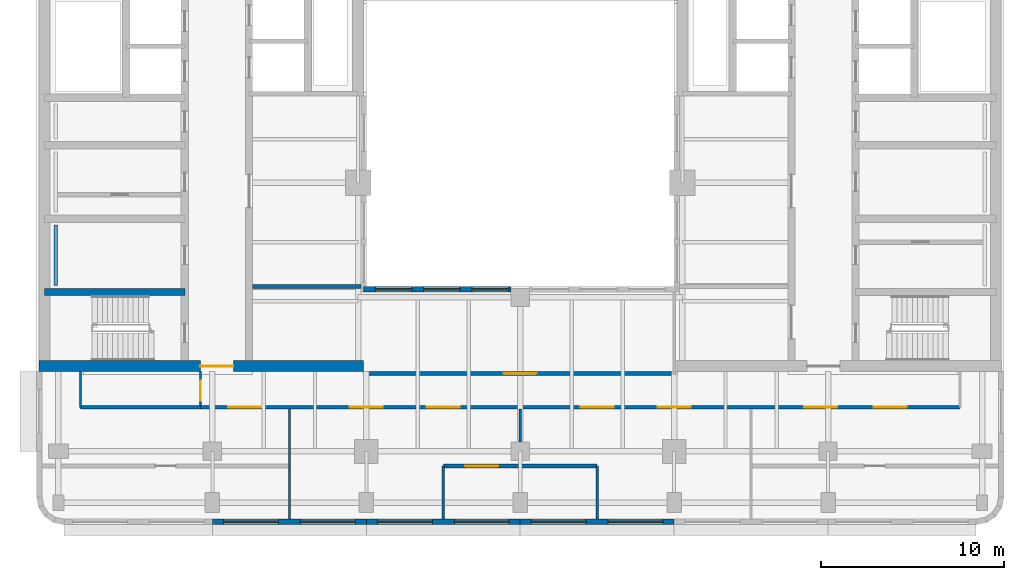
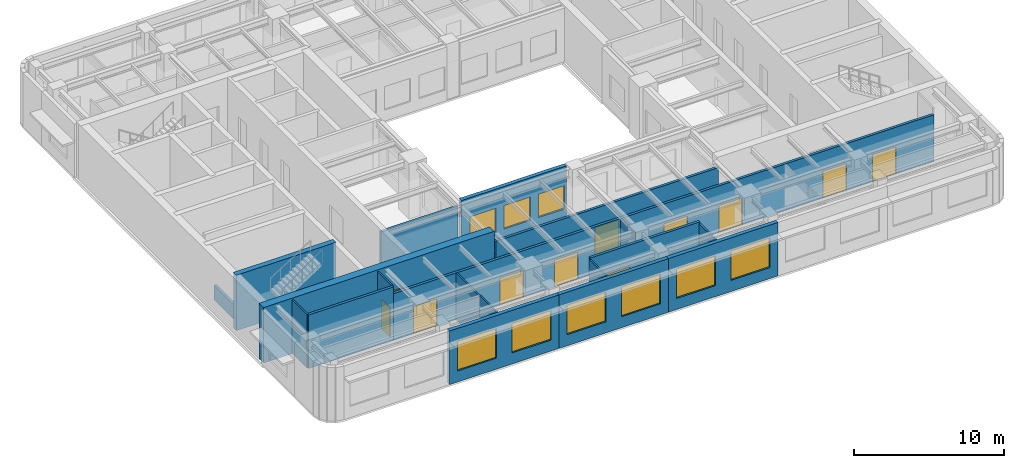
# One storey, part 3 of 11: 19 walls, 11 doors, 9 windows, 20 openings.
"""IFC4 building model written with IfcOpenShell, lengths in metres."""

from ifc_helpers import new_model, si_unit, direction, frame, frame_2d, origin, place, context, subcontext, project, spatial, rectangle, extrude, material, layer, layer_set, type_object, element, fill, save


model = new_model("IFC4")

# Units and contexts
model_context = context("Model", 3, precision=1e-05, world=origin(), true_north=direction((0.0, 1.0)))
body_context = subcontext(model_context, "Body", "Model", "MODEL_VIEW")
ifc_project = project(units=[si_unit("LENGTHUNIT", "METRE"), si_unit("AREAUNIT", "SQUARE_METRE"), si_unit("VOLUMEUNIT", "CUBIC_METRE"), si_unit("PLANEANGLEUNIT", "RADIAN"), si_unit("MASSUNIT", "GRAM", prefix="KILO")], contexts=[model_context])

# Site, building, storey
site_placement = place(None, origin())
site = spatial("IfcSite", under=ifc_project, at=site_placement, CompositionType="ELEMENT")
building_placement = place(site_placement, origin())
building = spatial("IfcBuilding", under=site, at=building_placement, Name="Claustro Exchange Tower", CompositionType="ELEMENT")
storey_placement = place(building_placement, frame((0.0, 0.0, 268.199951171875)))
storey = spatial("IfcBuildingStorey", under=building, at=storey_placement, Name="L61", CompositionType="ELEMENT", Elevation=268.199951171875)

# Walls
ifc_material_1 = material(Name="Laminated glass in aluminium frame", Category="aluminium")
ifc_layer_1 = layer(ifc_material_1, 0.1201171875)
ifc_layer_set_1 = layer_set([ifc_layer_1], Name="Laminated glass in aluminium frame")
wall_type_1 = type_object("IfcWallType", Name="P2 120 glazed partition", PredefinedType="PARTITIONING", material=ifc_layer_set_1)
wall_1_placement = place(storey_placement, frame((12.60009765625, 4.699951171875, 0.0), z_axis=(0.0, 0.0, 1.0), x_axis=(0.0, 1.0, 0.0)))
element("IfcWall", 1, at=wall_1_placement, inside=storey, type_object=wall_type_1, Name="Partition P2 L61", PredefinedType="PARTITIONING", context=body_context, shape_type="SweptSolid", body=[
    extrude(rectangle(XDim=2.902099609375, YDim=0.1201171875, at=frame_2d((1.451171875, 0.0))), origin(), (0.0, 0.0, 1.0), 3.860107421875),
])
for number, where, z_axis, x_axis, name in (
    (2, (21.0, 4.699951171875, 0.0), (0.0, 0.0, 1.0), (0.0, 1.0, 0.0), "Partition P2 L61"),
    (3, (29.39990234375, 4.699951171875, 0.0), (0.0, 0.0, 1.0), (0.0, 1.0, 0.0), "Partition P2 L61"),
):
    element("IfcWall", number, at=place(storey_placement, frame(where, z_axis=z_axis, x_axis=x_axis)), inside=storey, type_object=wall_type_1, Name=name, PredefinedType="PARTITIONING", context=body_context, shape_type="SweptSolid", body=[
        extrude(rectangle(XDim=2.900146484375, YDim=0.1201171875, at=frame_2d((1.4501953125, 0.0))), origin(), (0.0, 0.0, 1.0), 3.860107421875),
    ])
wall_2_placement = place(storey_placement, frame((12.60009765625, 7.597900390625, 0.0), z_axis=(0.0, 0.0, 1.0), x_axis=(0.0, 1.0, 0.0)))
element("IfcWall", 4, at=wall_2_placement, inside=storey, type_object=wall_type_1, Name="Partition P2 L61", PredefinedType="PARTITIONING", context=body_context, shape_type="SweptSolid", body=[
    extrude(rectangle(XDim=3.10400390625, YDim=0.1201171875, at=frame_2d((1.552001953125, 0.0))), origin(), (0.0, 0.0, 1.0), 3.800048828125),
])
wall_3_placement = place(storey_placement, frame((25.199951171875, 8.89892578125, 0.0), z_axis=(0.0, 0.0, 1.0), x_axis=(0.0, 1.0, 0.0)))
element("IfcWall", 5, at=wall_3_placement, inside=storey, type_object=wall_type_1, Name="Partition P2 L61", PredefinedType="PARTITIONING", context=body_context, shape_type="SweptSolid", body=[
    extrude(rectangle(XDim=1.802978515625, YDim=0.1201171875, at=frame_2d((0.9013671875, 0.0))), origin(), (0.0, 0.0, 1.0), 3.800048828125),
])

# Wall, opening, door
wall_4_placement = place(storey_placement, frame((7.75, 10.89794921875, 0.0), z_axis=(0.0, 0.0, 1.0), x_axis=(0.0, 1.0, 0.0)))
wall_4 = element("IfcWall", 6, at=wall_4_placement, inside=storey, type_object=wall_type_1, Name="Partition P2 L61", PredefinedType="PARTITIONING", context=body_context, shape_type="SweptSolid", body=[
    extrude(rectangle(XDim=1.85400390625, YDim=0.1201171875, at=frame_2d((0.927001953125, 0.0))), origin(), (0.0, 0.0, 1.0), 4.35009765625),
])
opening_1_placement = place(wall_4_placement, frame((0.251953125, 0.0, 0.0)))
opening_1 = element("IfcOpeningElement", 7, at=opening_1_placement, cuts=wall_4, Name="Opening D8", PredefinedType="OPENING", context=body_context, shape_type="SweptSolid", body=[
    extrude(rectangle(XDim=1.10009765625, YDim=2.39990234375, at=frame_2d((0.550048828125, 1.199951171875))), frame((0.0, 0.070068359375, 0.0), z_axis=(0.0, -1.0, 0.0), x_axis=(1.0, 0.0, 0.0)), (0.0, 0.0, 1.0), 0.14013671875),
])
ifc_material_2 = material(Name="Timber door, walnut veneer", Category="wood")
door_type_1 = type_object("IfcDoorType", Name="D8 1100 x 2400 executive door", OperationType="SINGLE_SWING_LEFT", PredefinedType="DOOR", material=ifc_material_2)
door_1_placement = place(opening_1_placement, origin())
door_1 = element("IfcDoor", 8, at=door_1_placement, inside=storey, type_object=door_type_1, Name="Door D8 L61", OperationType="SINGLE_SWING_LEFT", OverallHeight=2.39990234375, OverallWidth=1.10009765625, PredefinedType="DOOR", context=body_context, shape_type="SweptSolid", body=[
    extrude(rectangle(XDim=1.10009765625, YDim=2.39990234375, at=frame_2d((0.550048828125, 1.199951171875))), frame((0.0, 0.02490234375, 0.0), z_axis=(0.0, -1.0, 0.0), x_axis=(1.0, 0.0, 0.0)), (0.0, 0.0, 1.0), 0.050048828125),
])
fill(opening_1, door_1)

# Walls
wall_5_placement = place(storey_placement, frame((1.199951171875, 10.800048828125, 0.0), z_axis=(0.0, 0.0, 1.0), x_axis=(0.0, 1.0, 0.0)))
element("IfcWall", 9, at=wall_5_placement, inside=storey, type_object=wall_type_1, Name="Partition P2 L61", PredefinedType="PARTITIONING", context=body_context, shape_type="SweptSolid", body=[
    extrude(rectangle(XDim=1.951904296875, YDim=0.1201171875, at=frame_2d((0.97607421875, 0.0))), origin(), (0.0, 0.0, 1.0), 4.35009765625),
])
ifc_material_3 = material(Name="Twin-skin gypsum board on steel studs, mineral wool", Category="steel")
ifc_layer_2 = layer(ifc_material_3, 0.199951171875)
ifc_layer_set_2 = layer_set([ifc_layer_2], Name="Twin-skin gypsum board on steel studs, mineral wool")
wall_type_2 = type_object("IfcWallType", Name="P3 200 acoustic partition", PredefinedType="PARTITIONING", material=ifc_layer_set_2)
wall_6_placement = place(storey_placement, frame((10.597900390625, 17.39990234375, 0.0), z_axis=(0.0, 0.0, 1.0), x_axis=(1.0, 0.0, 0.0)))
element("IfcWall", 10, at=wall_6_placement, inside=storey, type_object=wall_type_2, Name="Partition P3 L61", PredefinedType="PARTITIONING", context=body_context, shape_type="SweptSolid", body=[
    extrude(rectangle(XDim=5.904052734375, YDim=0.199951171875, at=frame_2d((2.9521484375, 0.0))), origin(), (0.0, 0.0, 1.0), 3.800048828125),
])

# Wall, opening, door
wall_7_placement = place(storey_placement, frame((21.0, 7.60009765625, 0.0), z_axis=(0.0, 0.0, 1.0), x_axis=(1.0, 0.0, 0.0)))
wall_7 = element("IfcWall", 11, at=wall_7_placement, inside=storey, type_object=wall_type_2, Name="Partition P3 L61", PredefinedType="PARTITIONING", context=body_context, shape_type="SweptSolid", body=[
    extrude(rectangle(XDim=8.39990234375, YDim=0.199951171875, at=frame_2d((4.199951171875, 0.0))), origin(), (0.0, 0.0, 1.0), 3.989990234375),
])
opening_2_placement = place(wall_7_placement, frame((1.199951171875, 0.0, 0.0)))
opening_2 = element("IfcOpeningElement", 12, at=opening_2_placement, cuts=wall_7, Name="Opening D2", PredefinedType="OPENING", context=body_context, shape_type="SweptSolid", body=[
    extrude(rectangle(XDim=1.800048828125, YDim=2.199951171875, at=frame_2d((0.89990234375, 1.10009765625))), frame((0.0, 0.10986328125, 0.0), z_axis=(0.0, -1.0, 0.0), x_axis=(1.0, 0.0, 0.0)), (0.0, 0.0, 1.0), 0.219970703125),
])
ifc_material_4 = material(Name="Timber door, oak veneer", Category="wood")
door_type_2 = type_object("IfcDoorType", Name="D2 1800 x 2200 double door", OperationType="DOUBLE_DOOR_SINGLE_SWING", PredefinedType="DOOR", material=ifc_material_4)
door_2_placement = place(opening_2_placement, frame((1.800048828125, 0.0, 0.0), z_axis=(0.0, 0.0, 1.0), x_axis=(-1.0, 0.0, 0.0)))
door_2 = element("IfcDoor", 13, at=door_2_placement, inside=storey, type_object=door_type_2, Name="Double door D2 L61", OperationType="DOUBLE_DOOR_SINGLE_SWING", OverallHeight=2.199951171875, OverallWidth=1.800048828125, PredefinedType="DOOR", context=body_context, shape_type="SweptSolid", body=[
    extrude(rectangle(XDim=1.800048828125, YDim=2.199951171875, at=frame_2d((0.89990234375, 1.10009765625))), frame((0.0, 0.02490234375, 0.0), z_axis=(0.0, -1.0, 0.0), x_axis=(1.0, 0.0, 0.0)), (0.0, 0.0, 1.0), 0.050048828125),
])
fill(opening_2, door_2)

# Wall, openings, doors
wall_8_placement = place(storey_placement, frame((7.748046875, 10.800048828125, 0.0), z_axis=(0.0, 0.0, 1.0), x_axis=(1.0, 0.0, 0.0)))
wall_8 = element("IfcWall", 14, at=wall_8_placement, inside=storey, type_object=wall_type_2, Name="Partition P3 L61", PredefinedType="PARTITIONING", context=body_context, shape_type="SweptSolid", body=[
    extrude(rectangle(XDim=41.451904296875, YDim=0.199951171875, at=frame_2d((20.72607421875, 0.0))), origin(), (0.0, 0.0, 1.0), 3.800048828125),
])
opening_3_placement = place(wall_8_placement, frame((1.527099609375, 0.0, 0.0)))
opening_3 = element("IfcOpeningElement", 15, at=opening_3_placement, cuts=wall_8, Name="Opening D2", PredefinedType="OPENING", context=body_context, shape_type="SweptSolid", body=[
    extrude(rectangle(XDim=1.800048828125, YDim=2.199951171875, at=frame_2d((0.89990234375, 1.10009765625))), frame((0.0, 0.10986328125, 0.0), z_axis=(0.0, -1.0, 0.0), x_axis=(1.0, 0.0, 0.0)), (0.0, 0.0, 1.0), 0.219970703125),
])
opening_4_placement = place(wall_8_placement, frame((8.152099609375, 0.0, 0.0)))
opening_4 = element("IfcOpeningElement", 16, at=opening_4_placement, cuts=wall_8, Name="Opening D2", PredefinedType="OPENING", context=body_context, shape_type="SweptSolid", body=[
    extrude(rectangle(XDim=1.800048828125, YDim=2.199951171875, at=frame_2d((0.89990234375, 1.10009765625))), frame((0.0, 0.10986328125, 0.0), z_axis=(0.0, -1.0, 0.0), x_axis=(1.0, 0.0, 0.0)), (0.0, 0.0, 1.0), 0.219970703125),
])
opening_5_placement = place(wall_8_placement, frame((12.35205078125, 0.0, 0.0)))
opening_5 = element("IfcOpeningElement", 17, at=opening_5_placement, cuts=wall_8, Name="Opening D2", PredefinedType="OPENING", context=body_context, shape_type="SweptSolid", body=[
    extrude(rectangle(XDim=1.800048828125, YDim=2.199951171875, at=frame_2d((0.89990234375, 1.10009765625))), frame((0.0, 0.10986328125, 0.0), z_axis=(0.0, -1.0, 0.0), x_axis=(1.0, 0.0, 0.0)), (0.0, 0.0, 1.0), 0.219970703125),
])
opening_6_placement = place(wall_8_placement, frame((20.751953125, 0.0, 0.0)))
opening_6 = element("IfcOpeningElement", 18, at=opening_6_placement, cuts=wall_8, Name="Opening D2", PredefinedType="OPENING", context=body_context, shape_type="SweptSolid", body=[
    extrude(rectangle(XDim=1.800048828125, YDim=2.199951171875, at=frame_2d((0.89990234375, 1.10009765625))), frame((0.0, 0.10986328125, 0.0), z_axis=(0.0, -1.0, 0.0), x_axis=(1.0, 0.0, 0.0)), (0.0, 0.0, 1.0), 0.219970703125),
])
opening_7_placement = place(wall_8_placement, frame((24.951904296875, 0.0, 0.0)))
opening_7 = element("IfcOpeningElement", 19, at=opening_7_placement, cuts=wall_8, Name="Opening D2", PredefinedType="OPENING", context=body_context, shape_type="SweptSolid", body=[
    extrude(rectangle(XDim=1.800048828125, YDim=2.199951171875, at=frame_2d((0.89990234375, 1.10009765625))), frame((0.0, 0.10986328125, 0.0), z_axis=(0.0, -1.0, 0.0), x_axis=(1.0, 0.0, 0.0)), (0.0, 0.0, 1.0), 0.219970703125),
])
opening_8_placement = place(wall_8_placement, frame((32.951904296875, 0.0, 0.0)))
opening_8 = element("IfcOpeningElement", 20, at=opening_8_placement, cuts=wall_8, Name="Opening D2", PredefinedType="OPENING", context=body_context, shape_type="SweptSolid", body=[
    extrude(rectangle(XDim=1.800048828125, YDim=2.199951171875, at=frame_2d((0.89990234375, 1.10009765625))), frame((0.0, 0.10986328125, 0.0), z_axis=(0.0, -1.0, 0.0), x_axis=(1.0, 0.0, 0.0)), (0.0, 0.0, 1.0), 0.219970703125),
])
opening_9_placement = place(wall_8_placement, frame((36.751953125, 0.0, 0.0)))
opening_9 = element("IfcOpeningElement", 21, at=opening_9_placement, cuts=wall_8, Name="Opening D2", PredefinedType="OPENING", context=body_context, shape_type="SweptSolid", body=[
    extrude(rectangle(XDim=1.800048828125, YDim=2.199951171875, at=frame_2d((0.89990234375, 1.10009765625))), frame((0.0, 0.10986328125, 0.0), z_axis=(0.0, -1.0, 0.0), x_axis=(1.0, 0.0, 0.0)), (0.0, 0.0, 1.0), 0.219970703125),
])
door_3_placement = place(opening_3_placement, frame((1.800048828125, 0.0, 0.0), z_axis=(0.0, 0.0, 1.0), x_axis=(-1.0, 0.0, 0.0)))
door_3 = element("IfcDoor", 22, at=door_3_placement, inside=storey, type_object=door_type_2, Name="Double door D2 L61", OperationType="DOUBLE_DOOR_SINGLE_SWING", OverallHeight=2.199951171875, OverallWidth=1.800048828125, PredefinedType="DOOR", context=body_context, shape_type="SweptSolid", body=[
    extrude(rectangle(XDim=1.800048828125, YDim=2.199951171875, at=frame_2d((0.89990234375, 1.10009765625))), frame((0.0, 0.02490234375, 0.0), z_axis=(0.0, -1.0, 0.0), x_axis=(1.0, 0.0, 0.0)), (0.0, 0.0, 1.0), 0.050048828125),
])
fill(opening_3, door_3)
door_4_placement = place(opening_4_placement, frame((1.800048828125, 0.0, 0.0), z_axis=(0.0, 0.0, 1.0), x_axis=(-1.0, 0.0, 0.0)))
door_4 = element("IfcDoor", 23, at=door_4_placement, inside=storey, type_object=door_type_2, Name="Double door D2 L61", OperationType="DOUBLE_DOOR_SINGLE_SWING", OverallHeight=2.199951171875, OverallWidth=1.800048828125, PredefinedType="DOOR", context=body_context, shape_type="SweptSolid", body=[
    extrude(rectangle(XDim=1.800048828125, YDim=2.199951171875, at=frame_2d((0.89990234375, 1.10009765625))), frame((0.0, 0.02490234375, 0.0), z_axis=(0.0, -1.0, 0.0), x_axis=(1.0, 0.0, 0.0)), (0.0, 0.0, 1.0), 0.050048828125),
])
fill(opening_4, door_4)
door_5_placement = place(opening_5_placement, frame((1.800048828125, 0.0, 0.0), z_axis=(0.0, 0.0, 1.0), x_axis=(-1.0, 0.0, 0.0)))
door_5 = element("IfcDoor", 24, at=door_5_placement, inside=storey, type_object=door_type_2, Name="Double door D2 L61", OperationType="DOUBLE_DOOR_SINGLE_SWING", OverallHeight=2.199951171875, OverallWidth=1.800048828125, PredefinedType="DOOR", context=body_context, shape_type="SweptSolid", body=[
    extrude(rectangle(XDim=1.800048828125, YDim=2.199951171875, at=frame_2d((0.89990234375, 1.10009765625))), frame((0.0, 0.02490234375, 0.0), z_axis=(0.0, -1.0, 0.0), x_axis=(1.0, 0.0, 0.0)), (0.0, 0.0, 1.0), 0.050048828125),
])
fill(opening_5, door_5)
door_6_placement = place(opening_6_placement, frame((1.800048828125, 0.0, 0.0), z_axis=(0.0, 0.0, 1.0), x_axis=(-1.0, 0.0, 0.0)))
door_6 = element("IfcDoor", 25, at=door_6_placement, inside=storey, type_object=door_type_2, Name="Double door D2 L61", OperationType="DOUBLE_DOOR_SINGLE_SWING", OverallHeight=2.199951171875, OverallWidth=1.800048828125, PredefinedType="DOOR", context=body_context, shape_type="SweptSolid", body=[
    extrude(rectangle(XDim=1.800048828125, YDim=2.199951171875, at=frame_2d((0.89990234375, 1.10009765625))), frame((0.0, 0.02490234375, 0.0), z_axis=(0.0, -1.0, 0.0), x_axis=(1.0, 0.0, 0.0)), (0.0, 0.0, 1.0), 0.050048828125),
])
fill(opening_6, door_6)
door_7_placement = place(opening_7_placement, frame((1.800048828125, 0.0, 0.0), z_axis=(0.0, 0.0, 1.0), x_axis=(-1.0, 0.0, 0.0)))
door_7 = element("IfcDoor", 26, at=door_7_placement, inside=storey, type_object=door_type_2, Name="Double door D2 L61", OperationType="DOUBLE_DOOR_SINGLE_SWING", OverallHeight=2.199951171875, OverallWidth=1.800048828125, PredefinedType="DOOR", context=body_context, shape_type="SweptSolid", body=[
    extrude(rectangle(XDim=1.800048828125, YDim=2.199951171875, at=frame_2d((0.89990234375, 1.10009765625))), frame((0.0, 0.02490234375, 0.0), z_axis=(0.0, -1.0, 0.0), x_axis=(1.0, 0.0, 0.0)), (0.0, 0.0, 1.0), 0.050048828125),
])
fill(opening_7, door_7)
door_8_placement = place(opening_8_placement, frame((1.800048828125, 0.0, 0.0), z_axis=(0.0, 0.0, 1.0), x_axis=(-1.0, 0.0, 0.0)))
door_8 = element("IfcDoor", 27, at=door_8_placement, inside=storey, type_object=door_type_2, Name="Double door D2 L61", OperationType="DOUBLE_DOOR_SINGLE_SWING", OverallHeight=2.199951171875, OverallWidth=1.800048828125, PredefinedType="DOOR", context=body_context, shape_type="SweptSolid", body=[
    extrude(rectangle(XDim=1.800048828125, YDim=2.199951171875, at=frame_2d((0.89990234375, 1.10009765625))), frame((0.0, 0.02490234375, 0.0), z_axis=(0.0, -1.0, 0.0), x_axis=(1.0, 0.0, 0.0)), (0.0, 0.0, 1.0), 0.050048828125),
])
fill(opening_8, door_8)
door_9_placement = place(opening_9_placement, frame((1.800048828125, 0.0, 0.0), z_axis=(0.0, 0.0, 1.0), x_axis=(-1.0, 0.0, 0.0)))
door_9 = element("IfcDoor", 28, at=door_9_placement, inside=storey, type_object=door_type_2, Name="Double door D2 L61", OperationType="DOUBLE_DOOR_SINGLE_SWING", OverallHeight=2.199951171875, OverallWidth=1.800048828125, PredefinedType="DOOR", context=body_context, shape_type="SweptSolid", body=[
    extrude(rectangle(XDim=1.800048828125, YDim=2.199951171875, at=frame_2d((0.89990234375, 1.10009765625))), frame((0.0, 0.02490234375, 0.0), z_axis=(0.0, -1.0, 0.0), x_axis=(1.0, 0.0, 0.0)), (0.0, 0.0, 1.0), 0.050048828125),
])
fill(opening_9, door_9)

# Wall
wall_9_placement = place(storey_placement, frame((1.199951171875, 10.800048828125, 0.0), z_axis=(0.0, 0.0, 1.0), x_axis=(1.0, 0.0, 0.0)))
element("IfcWall", 29, at=wall_9_placement, inside=storey, type_object=wall_type_2, Name="Partition P3 L61", PredefinedType="PARTITIONING", context=body_context, shape_type="SweptSolid", body=[
    extrude(rectangle(XDim=6.552001953125, YDim=0.199951171875, at=frame_2d((3.27587890625, 0.0))), origin(), (0.0, 0.0, 1.0), 4.35009765625),
])

# Wall, opening, door
wall_10_placement = place(storey_placement, frame((16.64990234375, 12.64990234375, 0.0), z_axis=(0.0, 0.0, 1.0), x_axis=(1.0, 0.0, 0.0)))
wall_10 = element("IfcWall", 30, at=wall_10_placement, inside=storey, type_object=wall_type_2, Name="Partition P3 L61", PredefinedType="PARTITIONING", context=body_context, shape_type="SweptSolid", body=[
    extrude(rectangle(XDim=17.10009765625, YDim=0.199951171875, at=frame_2d((8.550048828125, 0.0))), origin(), (0.0, 0.0, 1.0), 3.800048828125),
])
opening_10_placement = place(wall_10_placement, frame((7.650146484375, 0.0, 0.0)))
opening_10 = element("IfcOpeningElement", 31, at=opening_10_placement, cuts=wall_10, Name="Opening D2", PredefinedType="OPENING", context=body_context, shape_type="SweptSolid", body=[
    extrude(rectangle(XDim=1.800048828125, YDim=2.199951171875, at=frame_2d((0.89990234375, 1.10009765625))), frame((0.0, 0.10986328125, 0.0), z_axis=(0.0, -1.0, 0.0), x_axis=(1.0, 0.0, 0.0)), (0.0, 0.0, 1.0), 0.219970703125),
])
door_10_placement = place(opening_10_placement, frame((1.800048828125, 0.0, 0.0), z_axis=(0.0, 0.0, 1.0), x_axis=(-1.0, 0.0, 0.0)))
door_10 = element("IfcDoor", 32, at=door_10_placement, inside=storey, type_object=door_type_2, Name="Double door D2 L61", OperationType="DOUBLE_DOOR_SINGLE_SWING", OverallHeight=2.199951171875, OverallWidth=1.800048828125, PredefinedType="DOOR", context=body_context, shape_type="SweptSolid", body=[
    extrude(rectangle(XDim=1.800048828125, YDim=2.199951171875, at=frame_2d((0.89990234375, 1.10009765625))), frame((0.0, 0.02490234375, 0.0), z_axis=(0.0, -1.0, 0.0), x_axis=(1.0, 0.0, 0.0)), (0.0, 0.0, 1.0), 0.050048828125),
])
fill(opening_10, door_10)

# Wall, openings, windows
ifc_material_5 = material(Name="Concrete HA-40 (C40/50), precast, white cement, acid-etched", Category="concrete")
ifc_layer_3 = layer(ifc_material_5, 0.300048828125)
ifc_layer_set_3 = layer_set([ifc_layer_3], Name="Concrete HA-40 (C40/50), precast, white cement, acid-etched")
wall_type_3 = type_object("IfcWallType", Name="PC1 300 precast concrete pier panel", PredefinedType="SOLIDWALL", material=ifc_layer_set_3)
wall_11_placement = place(storey_placement, frame((33.60009765625, 4.550048828125, 0.0), z_axis=(0.0, 0.0, 1.0), x_axis=(-1.0, 0.0, 0.0)))
wall_11 = element("IfcWall", 33, at=wall_11_placement, inside=storey, type_object=wall_type_3, Name="Precast pier panel PC1 L61", PredefinedType="SOLIDWALL", context=body_context, shape_type="SweptSolid", body=[
    extrude(rectangle(XDim=8.400146484375, YDim=0.300048828125, at=frame_2d((4.2001953125, 0.0))), origin(), (0.0, 0.0, 1.0), 4.35009765625),
])
opening_11_placement = place(wall_11_placement, frame((0.60009765625, 0.0, 0.89990234375)))
opening_11 = element("IfcOpeningElement", 34, at=opening_11_placement, cuts=wall_11, Name="Opening W3", PredefinedType="OPENING", context=body_context, shape_type="SweptSolid", body=[
    extrude(rectangle(XDim=3.0, YDim=2.39990234375, at=frame_2d((1.5, 1.199951171875))), frame((0.0, 0.159912109375, 0.0), z_axis=(0.0, -1.0, 0.0), x_axis=(1.0, 0.0, 0.0)), (0.0, 0.0, 1.0), 0.320068359375),
])
opening_12_placement = place(wall_11_placement, frame((4.800048828125, 0.0, 0.89990234375)))
opening_12 = element("IfcOpeningElement", 35, at=opening_12_placement, cuts=wall_11, Name="Opening W3", PredefinedType="OPENING", context=body_context, shape_type="SweptSolid", body=[
    extrude(rectangle(XDim=3.0, YDim=2.39990234375, at=frame_2d((1.5, 1.199951171875))), frame((0.0, 0.159912109375, 0.0), z_axis=(0.0, -1.0, 0.0), x_axis=(1.0, 0.0, 0.0)), (0.0, 0.0, 1.0), 0.320068359375),
])
ifc_material_6 = material(Name="Aluminium frame, clear double glazing", Category="aluminium")
window_type_1 = type_object("IfcWindowType", Name="W3 3000 x 2400 window", PartitioningType="SINGLE_PANEL", PredefinedType="WINDOW", material=ifc_material_6)
window_1_placement = place(opening_11_placement, origin())
window_1 = element("IfcWindow", 36, at=window_1_placement, inside=storey, type_object=window_type_1, Name="Window W3 L61", OverallHeight=2.39990234375, OverallWidth=3.0, PartitioningType="SINGLE_PANEL", PredefinedType="WINDOW", context=body_context, shape_type="SweptSolid", body=[
    extrude(rectangle(XDim=3.0, YDim=2.39990234375, at=frame_2d((1.5, 1.199951171875))), frame((0.0, 0.030029296875, 0.0), z_axis=(0.0, -1.0, 0.0), x_axis=(1.0, 0.0, 0.0)), (0.0, 0.0, 1.0), 0.06005859375),
])
fill(opening_11, window_1)
window_2_placement = place(opening_12_placement, origin())
window_2 = element("IfcWindow", 37, at=window_2_placement, inside=storey, type_object=window_type_1, Name="Window W3 L61", OverallHeight=2.39990234375, OverallWidth=3.0, PartitioningType="SINGLE_PANEL", PredefinedType="WINDOW", context=body_context, shape_type="SweptSolid", body=[
    extrude(rectangle(XDim=3.0, YDim=2.39990234375, at=frame_2d((1.5, 1.199951171875))), frame((0.0, 0.030029296875, 0.0), z_axis=(0.0, -1.0, 0.0), x_axis=(1.0, 0.0, 0.0)), (0.0, 0.0, 1.0), 0.06005859375),
])
fill(opening_12, window_2)

wall_12_placement = place(storey_placement, frame((25.199951171875, 4.550048828125, 0.0), z_axis=(0.0, 0.0, 1.0), x_axis=(-1.0, 0.0, 0.0)))
wall_12 = element("IfcWall", 38, at=wall_12_placement, inside=storey, type_object=wall_type_3, Name="Precast pier panel PC1 L61", PredefinedType="SOLIDWALL", context=body_context, shape_type="SweptSolid", body=[
    extrude(rectangle(XDim=8.39990234375, YDim=0.300048828125, at=frame_2d((4.199951171875, 0.0))), origin(), (0.0, 0.0, 1.0), 4.35009765625),
])
opening_13_placement = place(wall_12_placement, frame((0.60009765625, 0.0, 0.89990234375)))
opening_13 = element("IfcOpeningElement", 39, at=opening_13_placement, cuts=wall_12, Name="Opening W3", PredefinedType="OPENING", context=body_context, shape_type="SweptSolid", body=[
    extrude(rectangle(XDim=3.0, YDim=2.39990234375, at=frame_2d((1.5, 1.199951171875))), frame((0.0, 0.159912109375, 0.0), z_axis=(0.0, -1.0, 0.0), x_axis=(1.0, 0.0, 0.0)), (0.0, 0.0, 1.0), 0.320068359375),
])
opening_14_placement = place(wall_12_placement, frame((4.800048828125, 0.0, 0.89990234375)))
opening_14 = element("IfcOpeningElement", 40, at=opening_14_placement, cuts=wall_12, Name="Opening W3", PredefinedType="OPENING", context=body_context, shape_type="SweptSolid", body=[
    extrude(rectangle(XDim=3.0, YDim=2.39990234375, at=frame_2d((1.5, 1.199951171875))), frame((0.0, 0.159912109375, 0.0), z_axis=(0.0, -1.0, 0.0), x_axis=(1.0, 0.0, 0.0)), (0.0, 0.0, 1.0), 0.320068359375),
])
window_3_placement = place(opening_13_placement, origin())
window_3 = element("IfcWindow", 41, at=window_3_placement, inside=storey, type_object=window_type_1, Name="Window W3 L61", OverallHeight=2.39990234375, OverallWidth=3.0, PartitioningType="SINGLE_PANEL", PredefinedType="WINDOW", context=body_context, shape_type="SweptSolid", body=[
    extrude(rectangle(XDim=3.0, YDim=2.39990234375, at=frame_2d((1.5, 1.199951171875))), frame((0.0, 0.030029296875, 0.0), z_axis=(0.0, -1.0, 0.0), x_axis=(1.0, 0.0, 0.0)), (0.0, 0.0, 1.0), 0.06005859375),
])
fill(opening_13, window_3)
window_4_placement = place(opening_14_placement, origin())
window_4 = element("IfcWindow", 42, at=window_4_placement, inside=storey, type_object=window_type_1, Name="Window W3 L61", OverallHeight=2.39990234375, OverallWidth=3.0, PartitioningType="SINGLE_PANEL", PredefinedType="WINDOW", context=body_context, shape_type="SweptSolid", body=[
    extrude(rectangle(XDim=3.0, YDim=2.39990234375, at=frame_2d((1.5, 1.199951171875))), frame((0.0, 0.030029296875, 0.0), z_axis=(0.0, -1.0, 0.0), x_axis=(1.0, 0.0, 0.0)), (0.0, 0.0, 1.0), 0.06005859375),
])
fill(opening_14, window_4)

wall_13_placement = place(storey_placement, frame((16.800048828125, 4.550048828125, 0.0), z_axis=(0.0, 0.0, 1.0), x_axis=(-1.0, 0.0, 0.0)))
wall_13 = element("IfcWall", 43, at=wall_13_placement, inside=storey, type_object=wall_type_3, Name="Precast pier panel PC1 L61", PredefinedType="SOLIDWALL", context=body_context, shape_type="SweptSolid", body=[
    extrude(rectangle(XDim=8.400146484375, YDim=0.300048828125, at=frame_2d((4.2001953125, 0.0))), origin(), (0.0, 0.0, 1.0), 4.35009765625),
])
opening_15_placement = place(wall_13_placement, frame((0.60009765625, 0.0, 0.89990234375)))
opening_15 = element("IfcOpeningElement", 44, at=opening_15_placement, cuts=wall_13, Name="Opening W3", PredefinedType="OPENING", context=body_context, shape_type="SweptSolid", body=[
    extrude(rectangle(XDim=3.0, YDim=2.39990234375, at=frame_2d((1.5, 1.199951171875))), frame((0.0, 0.159912109375, 0.0), z_axis=(0.0, -1.0, 0.0), x_axis=(1.0, 0.0, 0.0)), (0.0, 0.0, 1.0), 0.320068359375),
])
opening_16_placement = place(wall_13_placement, frame((4.800048828125, 0.0, 0.89990234375)))
opening_16 = element("IfcOpeningElement", 45, at=opening_16_placement, cuts=wall_13, Name="Opening W3", PredefinedType="OPENING", context=body_context, shape_type="SweptSolid", body=[
    extrude(rectangle(XDim=3.0, YDim=2.39990234375, at=frame_2d((1.5, 1.199951171875))), frame((0.0, 0.159912109375, 0.0), z_axis=(0.0, -1.0, 0.0), x_axis=(1.0, 0.0, 0.0)), (0.0, 0.0, 1.0), 0.320068359375),
])
window_5_placement = place(opening_15_placement, origin())
window_5 = element("IfcWindow", 46, at=window_5_placement, inside=storey, type_object=window_type_1, Name="Window W3 L61", OverallHeight=2.39990234375, OverallWidth=3.0, PartitioningType="SINGLE_PANEL", PredefinedType="WINDOW", context=body_context, shape_type="SweptSolid", body=[
    extrude(rectangle(XDim=3.0, YDim=2.39990234375, at=frame_2d((1.5, 1.199951171875))), frame((0.0, 0.030029296875, 0.0), z_axis=(0.0, -1.0, 0.0), x_axis=(1.0, 0.0, 0.0)), (0.0, 0.0, 1.0), 0.06005859375),
])
fill(opening_15, window_5)
window_6_placement = place(opening_16_placement, origin())
window_6 = element("IfcWindow", 47, at=window_6_placement, inside=storey, type_object=window_type_1, Name="Window W3 L61", OverallHeight=2.39990234375, OverallWidth=3.0, PartitioningType="SINGLE_PANEL", PredefinedType="WINDOW", context=body_context, shape_type="SweptSolid", body=[
    extrude(rectangle(XDim=3.0, YDim=2.39990234375, at=frame_2d((1.5, 1.199951171875))), frame((0.0, 0.030029296875, 0.0), z_axis=(0.0, -1.0, 0.0), x_axis=(1.0, 0.0, 0.0)), (0.0, 0.0, 1.0), 0.06005859375),
])
fill(opening_16, window_6)

wall_14_placement = place(storey_placement, frame((16.64990234375, 17.25, 0.0), z_axis=(0.0, 0.0, 1.0), x_axis=(1.0, 0.0, 0.0)))
wall_14 = element("IfcWall", 48, at=wall_14_placement, inside=storey, type_object=wall_type_3, Name="Precast pier panel PC1 L61", PredefinedType="SOLIDWALL", context=body_context, shape_type="SweptSolid", body=[
    extrude(rectangle(XDim=8.050048828125, YDim=0.300048828125, at=frame_2d((4.02490234375, 0.0))), origin(), (0.0, 0.0, 1.0), 4.35009765625),
])
opening_17_placement = place(wall_14_placement, frame((0.637451171875, 0.0, 0.89990234375)))
opening_17 = element("IfcOpeningElement", 49, at=opening_17_placement, cuts=wall_14, Name="Opening W4", PredefinedType="OPENING", context=body_context, shape_type="SweptSolid", body=[
    extrude(rectangle(XDim=2.0, YDim=1.89990234375, at=frame_2d((1.0, 0.949951171875))), frame((0.0, 0.159912109375, 0.0), z_axis=(0.0, -1.0, 0.0), x_axis=(1.0, 0.0, 0.0)), (0.0, 0.0, 1.0), 0.320068359375),
])
opening_18_placement = place(wall_14_placement, frame((3.27490234375, 0.0, 0.89990234375)))
opening_18 = element("IfcOpeningElement", 50, at=opening_18_placement, cuts=wall_14, Name="Opening W4", PredefinedType="OPENING", context=body_context, shape_type="SweptSolid", body=[
    extrude(rectangle(XDim=2.0, YDim=1.89990234375, at=frame_2d((1.0, 0.949951171875))), frame((0.0, 0.159912109375, 0.0), z_axis=(0.0, -1.0, 0.0), x_axis=(1.0, 0.0, 0.0)), (0.0, 0.0, 1.0), 0.320068359375),
])
opening_19_placement = place(wall_14_placement, frame((5.91259765625, 0.0, 0.89990234375)))
opening_19 = element("IfcOpeningElement", 51, at=opening_19_placement, cuts=wall_14, Name="Opening W4", PredefinedType="OPENING", context=body_context, shape_type="SweptSolid", body=[
    extrude(rectangle(XDim=2.0, YDim=1.89990234375, at=frame_2d((1.0, 0.949951171875))), frame((0.0, 0.159912109375, 0.0), z_axis=(0.0, -1.0, 0.0), x_axis=(1.0, 0.0, 0.0)), (0.0, 0.0, 1.0), 0.320068359375),
])
ifc_material_7 = material(Name="Aluminium frame, clear double glazing", Category="aluminium")
window_type_2 = type_object("IfcWindowType", Name="W4 2000 x 1900 light well window", PartitioningType="SINGLE_PANEL", PredefinedType="WINDOW", material=ifc_material_7)
window_7_placement = place(opening_17_placement, origin())
window_7 = element("IfcWindow", 52, at=window_7_placement, inside=storey, type_object=window_type_2, Name="Window W4 L61", OverallHeight=1.89990234375, OverallWidth=2.0, PartitioningType="SINGLE_PANEL", PredefinedType="WINDOW", context=body_context, shape_type="SweptSolid", body=[
    extrude(rectangle(XDim=2.0, YDim=1.89990234375, at=frame_2d((1.0, 0.949951171875))), frame((0.0, 0.030029296875, 0.0), z_axis=(0.0, -1.0, 0.0), x_axis=(1.0, 0.0, 0.0)), (0.0, 0.0, 1.0), 0.06005859375),
])
fill(opening_17, window_7)
window_8_placement = place(opening_18_placement, origin())
window_8 = element("IfcWindow", 53, at=window_8_placement, inside=storey, type_object=window_type_2, Name="Window W4 L61", OverallHeight=1.89990234375, OverallWidth=2.0, PartitioningType="SINGLE_PANEL", PredefinedType="WINDOW", context=body_context, shape_type="SweptSolid", body=[
    extrude(rectangle(XDim=2.0, YDim=1.89990234375, at=frame_2d((1.0, 0.949951171875))), frame((0.0, 0.030029296875, 0.0), z_axis=(0.0, -1.0, 0.0), x_axis=(1.0, 0.0, 0.0)), (0.0, 0.0, 1.0), 0.06005859375),
])
fill(opening_18, window_8)
window_9_placement = place(opening_19_placement, origin())
window_9 = element("IfcWindow", 54, at=window_9_placement, inside=storey, type_object=window_type_2, Name="Window W4 L61", OverallHeight=1.89990234375, OverallWidth=2.0, PartitioningType="SINGLE_PANEL", PredefinedType="WINDOW", context=body_context, shape_type="SweptSolid", body=[
    extrude(rectangle(XDim=2.0, YDim=1.89990234375, at=frame_2d((1.0, 0.949951171875))), frame((0.0, 0.030029296875, 0.0), z_axis=(0.0, -1.0, 0.0), x_axis=(1.0, 0.0, 0.0)), (0.0, 0.0, 1.0), 0.06005859375),
])
fill(opening_19, window_9)

# Wall
ifc_material_8 = material(Name="Gypsum board on steel studs, tiled", Category="steel")
ifc_layer_4 = layer(ifc_material_8, 0.199951171875)
ifc_layer_set_4 = layer_set([ifc_layer_4], Name="Gypsum board on steel studs, tiled")
wall_type_4 = type_object("IfcWallType", Name="PW1 200 WC duct wall", PredefinedType="PLUMBINGWALL", material=ifc_layer_set_4)
wall_15_placement = place(storey_placement, frame((-0.14990234375, 17.449951171875, 0.0), z_axis=(0.0, 0.0, 1.0), x_axis=(0.0, 1.0, 0.0)))
element("IfcWall", 55, at=wall_15_placement, inside=storey, type_object=wall_type_4, Name="WC duct wall PW1 L61", PredefinedType="PLUMBINGWALL", context=body_context, shape_type="SweptSolid", body=[
    extrude(rectangle(XDim=3.300048828125, YDim=0.199951171875, at=frame_2d((1.64990234375, 0.0))), origin(), (0.0, 0.0, 1.0), 1.199951171875),
])

# Wall, opening, door
ifc_material_9 = material(Name="Concrete HA-50 (C50/60)", Category="concrete")
ifc_layer_5 = layer(ifc_material_9, 0.60009765625)
ifc_layer_set_5 = layer_set([ifc_layer_5], Name="Concrete HA-50 (C50/60)")
wall_type_5 = type_object("IfcWallType", Name="SW3 600 core shear wall", PredefinedType="SHEAR", material=ifc_layer_set_5)
wall_16_placement = place(storey_placement, frame((-1.050048828125, 13.050048828125, 0.0), z_axis=(0.0, 0.0, 1.0), x_axis=(1.0, 0.0, 0.0)))
wall_16 = element("IfcWall", 56, at=wall_16_placement, inside=storey, type_object=wall_type_5, Name="Core wall SW3 W core S face L61", PredefinedType="SHEAR", context=body_context, shape_type="SweptSolid", body=[
    extrude(rectangle(XDim=17.699951171875, YDim=0.60009765625, at=frame_2d((8.85009765625, 0.0))), origin(), (0.0, 0.0, 1.0), 4.5),
])
opening_20_placement = place(wall_16_placement, frame((8.800048828125, 0.0, 0.0)))
opening_20 = element("IfcOpeningElement", 57, at=opening_20_placement, cuts=wall_16, Name="Opening D3", PredefinedType="OPENING", context=body_context, shape_type="SweptSolid", body=[
    extrude(rectangle(XDim=1.800048828125, YDim=2.39990234375, at=frame_2d((0.89990234375, 1.199951171875))), frame((0.0, 0.31005859375, 0.0), z_axis=(0.0, -1.0, 0.0), x_axis=(1.0, 0.0, 0.0)), (0.0, 0.0, 1.0), 0.6201171875),
])
ifc_material_10 = material(Name="Steel fire door, painted", Category="steel")
door_type_3 = type_object("IfcDoorType", Name="D3 1800 x 2400 fire-rated lobby double door", OperationType="DOUBLE_DOOR_SINGLE_SWING", PredefinedType="DOOR", material=ifc_material_10)
door_11_placement = place(opening_20_placement, origin())
door_11 = element("IfcDoor", 58, at=door_11_placement, inside=storey, type_object=door_type_3, Name="Lift lobby door D3 L61", OperationType="DOUBLE_DOOR_SINGLE_SWING", OverallHeight=2.39990234375, OverallWidth=1.800048828125, PredefinedType="DOOR", context=body_context, shape_type="SweptSolid", body=[
    extrude(rectangle(XDim=1.800048828125, YDim=2.39990234375, at=frame_2d((0.89990234375, 1.199951171875))), frame((0.0, 0.02490234375, 0.0), z_axis=(0.0, -1.0, 0.0), x_axis=(1.0, 0.0, 0.0)), (0.0, 0.0, 1.0), 0.050048828125),
])
fill(opening_20, door_11)

# Wall
ifc_material_11 = material(Name="Concrete HA-50 (C50/60)", Category="concrete")
ifc_layer_6 = layer(ifc_material_11, 0.39990234375)
ifc_layer_set_6 = layer_set([ifc_layer_6], Name="Concrete HA-50 (C50/60)")
wall_type_6 = type_object("IfcWallType", Name="SW4 400 internal core wall", PredefinedType="SHEAR", material=ifc_layer_set_6)
wall_17_placement = place(storey_placement, frame((-0.75, 17.10009765625, 0.0), z_axis=(0.0, 0.0, 1.0), x_axis=(1.0, 0.0, 0.0)))
element("IfcWall", 59, at=wall_17_placement, inside=storey, type_object=wall_type_6, Name="Internal core wall SW4 W core L61", PredefinedType="SHEAR", context=body_context, shape_type="SweptSolid", body=[
    extrude(rectangle(XDim=7.64990234375, YDim=0.39990234375, at=frame_2d((3.824951171875, 0.0))), origin(), (0.0, 0.0, 1.0), 4.5),
])

save(model, "model.ifc")
